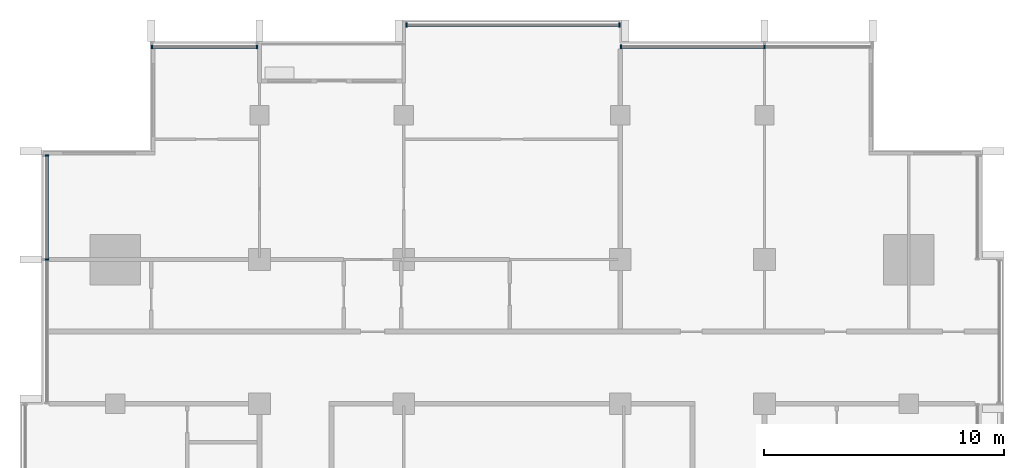
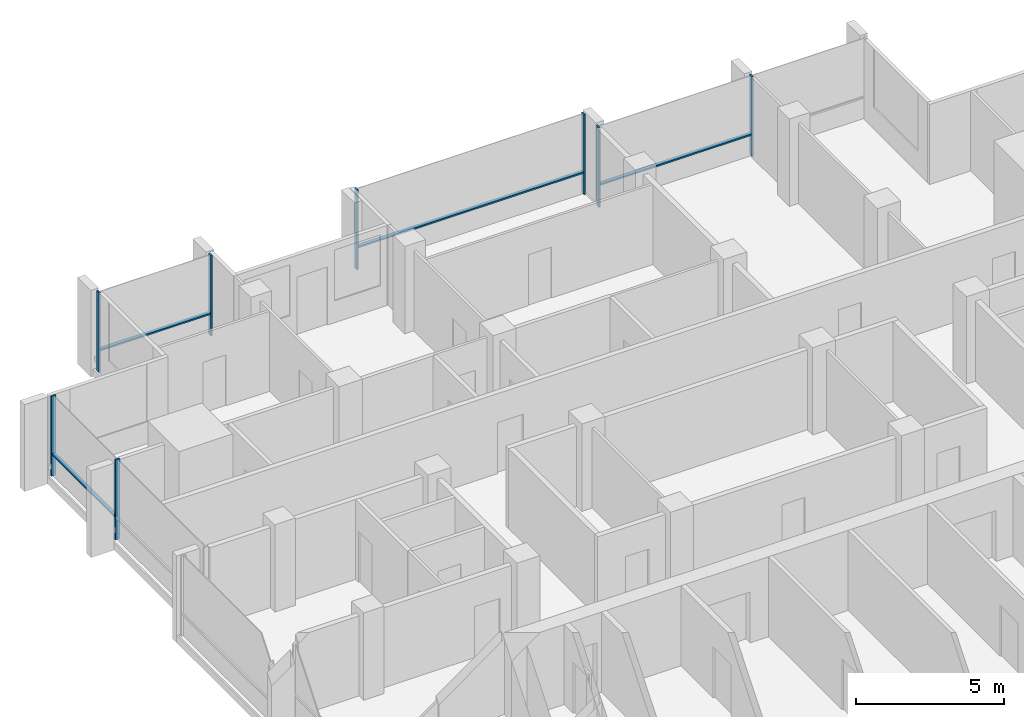
# One storey, part 4 of 15: 12 members, 4 elements without a shape of their own.
"""IFC4 building model written with IfcOpenShell, lengths in metres."""

from ifc_helpers import new_model, si_unit, direction, frame, origin, origin_2d, place, context, subcontext, project, spatial, rectangle, extrude, material, material_profile, profile_set, type_object, element, aggregate, save


model = new_model("IFC4")

# Units and contexts
model_context = context("Model", 3, precision=1e-05, world=origin(), true_north=direction((0.0, 1.0)))
body_context = subcontext(model_context, "Body", "Model", "MODEL_VIEW")
ifc_project = project(units=[si_unit("LENGTHUNIT", "METRE"), si_unit("AREAUNIT", "SQUARE_METRE"), si_unit("VOLUMEUNIT", "CUBIC_METRE"), si_unit("PLANEANGLEUNIT", "RADIAN"), si_unit("MASSUNIT", "GRAM", prefix="KILO")], contexts=[model_context])

# Site, building, storey
site_placement = place(None, origin())
site = spatial("IfcSite", under=ifc_project, at=site_placement, CompositionType="ELEMENT")
building_placement = place(site_placement, origin())
building = spatial("IfcBuilding", under=site, at=building_placement, Name="Finial Court Residences", CompositionType="ELEMENT")
storey_placement = place(building_placement, frame((0.0, 0.0, 226.699951171875)))
storey = spatial("IfcBuildingStorey", under=building, at=storey_placement, Name="L57", CompositionType="ELEMENT", Elevation=226.699951171875)

# Curtain wall, members
ifc_material = material(Name="Bronze anodised aluminium", Category="aluminium")
curtain_wall_type = type_object("IfcCurtainWallType", Name="Unitised curtain wall, upper zones", PredefinedType="NOTDEFINED", material=ifc_material)
curtain_wall_1_placement = place(storey_placement, origin())
curtain_wall_1 = element("IfcCurtainWall", 1, at=curtain_wall_1_placement, inside=storey, type_object=curtain_wall_type, Name="E-L57-CW-N1", PredefinedType="NOTDEFINED")
ifc_material_profile_1 = material_profile(ifc_material, rectangle(XDim=0.175048828125, YDim=0.06005859375, at=origin_2d()), Name="CW2 mullion 60 x 175")
ifc_profile_set_1 = profile_set([ifc_material_profile_1], Name="Bronze anodised aluminium")
member_type_1 = type_object("IfcMemberType", Name="CW2 mullion 60 x 175", PredefinedType="MULLION", material=ifc_profile_set_1)
member_1_placement = place(storey_placement, frame((-14.969970703125, 16.35009765625, 0.0), z_axis=(0.0, 0.0, 1.0), x_axis=(0.0, 1.0, 0.0)))
member_1 = element("IfcMember", 2, at=member_1_placement, type_object=member_type_1, Name="CW2 mullion 1", PredefinedType="MULLION", context=body_context, shape_type="SweptSolid", body=[
    extrude(rectangle(XDim=0.175048828125, YDim=0.06005859375, at=origin_2d()), origin(), (0.0, 0.0, 1.0), 3.300048828125),
])
member_2_placement = place(storey_placement, frame((-10.60498046875, 16.35009765625, 0.0), z_axis=(0.0, 0.0, 1.0), x_axis=(0.0, 1.0, 0.0)))
member_2 = element("IfcMember", 3, at=member_2_placement, type_object=member_type_1, Name="CW2 mullion 2", PredefinedType="MULLION", context=body_context, shape_type="SweptSolid", body=[
    extrude(rectangle(XDim=0.175048828125, YDim=0.06005859375, at=origin_2d()), origin(), (0.0, 0.0, 1.0), 3.300048828125),
])

curtain_wall_2_placement = place(storey_placement, origin())
curtain_wall_2 = element("IfcCurtainWall", 4, at=curtain_wall_2_placement, inside=storey, type_object=curtain_wall_type, Name="E-L57-CW-N2", PredefinedType="NOTDEFINED")
member_3_placement = place(storey_placement, frame((-4.39501953125, 17.25, 0.0), z_axis=(0.0, 0.0, 1.0), x_axis=(0.0, 1.0, 0.0)))
member_3 = element("IfcMember", 5, at=member_3_placement, type_object=member_type_1, Name="CW2 mullion 1", PredefinedType="MULLION", context=body_context, shape_type="SweptSolid", body=[
    extrude(rectangle(XDim=0.175048828125, YDim=0.06005859375, at=origin_2d()), origin(), (0.0, 0.0, 1.0), 3.300048828125),
])
member_4_placement = place(storey_placement, frame((4.469970703125, 17.25, 0.0), z_axis=(0.0, 0.0, 1.0), x_axis=(0.0, 1.0, 0.0)))
member_4 = element("IfcMember", 6, at=member_4_placement, type_object=member_type_1, Name="CW2 mullion 2", PredefinedType="MULLION", context=body_context, shape_type="SweptSolid", body=[
    extrude(rectangle(XDim=0.175048828125, YDim=0.06005859375, at=origin_2d()), origin(), (0.0, 0.0, 1.0), 3.300048828125),
])

curtain_wall_3_placement = place(storey_placement, origin())
curtain_wall_3 = element("IfcCurtainWall", 7, at=curtain_wall_3_placement, inside=storey, type_object=curtain_wall_type, Name="E-L57-CW-N3", PredefinedType="NOTDEFINED")
member_5_placement = place(storey_placement, frame((4.530029296875, 16.35009765625, 0.0), z_axis=(0.0, 0.0, 1.0), x_axis=(0.0, 1.0, 0.0)))
member_5 = element("IfcMember", 8, at=member_5_placement, type_object=member_type_1, Name="CW2 mullion 1", PredefinedType="MULLION", context=body_context, shape_type="SweptSolid", body=[
    extrude(rectangle(XDim=0.175048828125, YDim=0.06005859375, at=origin_2d()), origin(), (0.0, 0.0, 1.0), 3.300048828125),
])
member_6_placement = place(storey_placement, frame((10.5, 16.35009765625, 0.0), z_axis=(0.0, 0.0, 1.0), x_axis=(0.0, 1.0, 0.0)))
member_6 = element("IfcMember", 9, at=member_6_placement, type_object=member_type_1, Name="CW2 mullion 2", PredefinedType="MULLION", context=body_context, shape_type="SweptSolid", body=[
    extrude(rectangle(XDim=0.175048828125, YDim=0.06005859375, at=origin_2d()), origin(), (0.0, 0.0, 1.0), 3.300048828125),
])

curtain_wall_4_placement = place(storey_placement, origin())
curtain_wall_4 = element("IfcCurtainWall", 10, at=curtain_wall_4_placement, inside=storey, type_object=curtain_wall_type, Name="E-L57-CW-W11", PredefinedType="NOTDEFINED")
member_7_placement = place(storey_placement, frame((-19.35009765625, 7.5, 0.0), z_axis=(0.0, 0.0, 1.0), x_axis=(-1.0, 0.0, 0.0)))
member_7 = element("IfcMember", 11, at=member_7_placement, type_object=member_type_1, Name="CW2 mullion 2", PredefinedType="MULLION", context=body_context, shape_type="SweptSolid", body=[
    extrude(rectangle(XDim=0.175048828125, YDim=0.06005859375, at=origin_2d()), origin(), (0.0, 0.0, 1.0), 3.300048828125),
])
member_8_placement = place(storey_placement, frame((-19.35009765625, 11.820068359375, 0.0), z_axis=(0.0, 0.0, 1.0), x_axis=(-1.0, 0.0, 0.0)))
member_8 = element("IfcMember", 12, at=member_8_placement, type_object=member_type_1, Name="CW2 mullion 3", PredefinedType="MULLION", context=body_context, shape_type="SweptSolid", body=[
    extrude(rectangle(XDim=0.175048828125, YDim=0.06005859375, at=origin_2d()), origin(), (0.0, 0.0, 1.0), 3.300048828125),
])

# Member
ifc_material_profile_2 = material_profile(ifc_material, rectangle(XDim=0.139892578125, YDim=0.06005859375, at=origin_2d()), Name="CW2 transom 60 x 140")
ifc_profile_set_2 = profile_set([ifc_material_profile_2], Name="Bronze anodised aluminium")
member_type_2 = type_object("IfcMemberType", Name="CW2 transom 60 x 140", PredefinedType="USERDEFINED", material=ifc_profile_set_2)
member_9_placement = place(storey_placement, frame((-14.93994140625, 16.35009765625, 0.900146484375), z_axis=(1.0, 0.0, 0.0), x_axis=(0.0, 1.0, 0.0)))
member_9 = element("IfcMember", 13, at=member_9_placement, type_object=member_type_2, Name="CW2 transom 1.1", ObjectType="TRANSOM", PredefinedType="USERDEFINED", context=body_context, shape_type="SweptSolid", body=[
    extrude(rectangle(XDim=0.139892578125, YDim=0.06005859375, at=origin_2d()), origin(), (0.0, 0.0, 1.0), 4.304931640625),
])

aggregate(curtain_wall_1, [member_1, member_2, member_9])

member_10_placement = place(storey_placement, frame((-4.364990234375, 17.25, 0.900146484375), z_axis=(1.0, 0.0, 0.0), x_axis=(0.0, 1.0, 0.0)))
member_10 = element("IfcMember", 14, at=member_10_placement, type_object=member_type_2, Name="CW2 transom 1.1", ObjectType="TRANSOM", PredefinedType="USERDEFINED", context=body_context, shape_type="SweptSolid", body=[
    extrude(rectangle(XDim=0.139892578125, YDim=0.06005859375, at=origin_2d()), origin(), (0.0, 0.0, 1.0), 8.804931640625),
])

aggregate(curtain_wall_2, [member_3, member_4, member_10])

member_11_placement = place(storey_placement, frame((4.56005859375, 16.35009765625, 0.900146484375), z_axis=(1.0, 0.0, 0.0), x_axis=(0.0, 1.0, 0.0)))
member_11 = element("IfcMember", 15, at=member_11_placement, type_object=member_type_2, Name="CW2 transom 1.1", ObjectType="TRANSOM", PredefinedType="USERDEFINED", context=body_context, shape_type="SweptSolid", body=[
    extrude(rectangle(XDim=0.139892578125, YDim=0.06005859375, at=origin_2d()), origin(), (0.0, 0.0, 1.0), 5.909912109375),
])

aggregate(curtain_wall_3, [member_5, member_6, member_11])

member_12_placement = place(storey_placement, frame((-19.35009765625, 7.530029296875, 0.900146484375), z_axis=(0.0, 1.0, 0.0), x_axis=(-1.0, 0.0, 0.0)))
member_12 = element("IfcMember", 16, at=member_12_placement, type_object=member_type_2, Name="CW2 transom 2.1", ObjectType="TRANSOM", PredefinedType="USERDEFINED", context=body_context, shape_type="SweptSolid", body=[
    extrude(rectangle(XDim=0.139892578125, YDim=0.06005859375, at=origin_2d()), origin(), (0.0, 0.0, 1.0), 4.260009765625),
])

aggregate(curtain_wall_4, [member_7, member_8, member_12])

save(model, "model.ifc")
